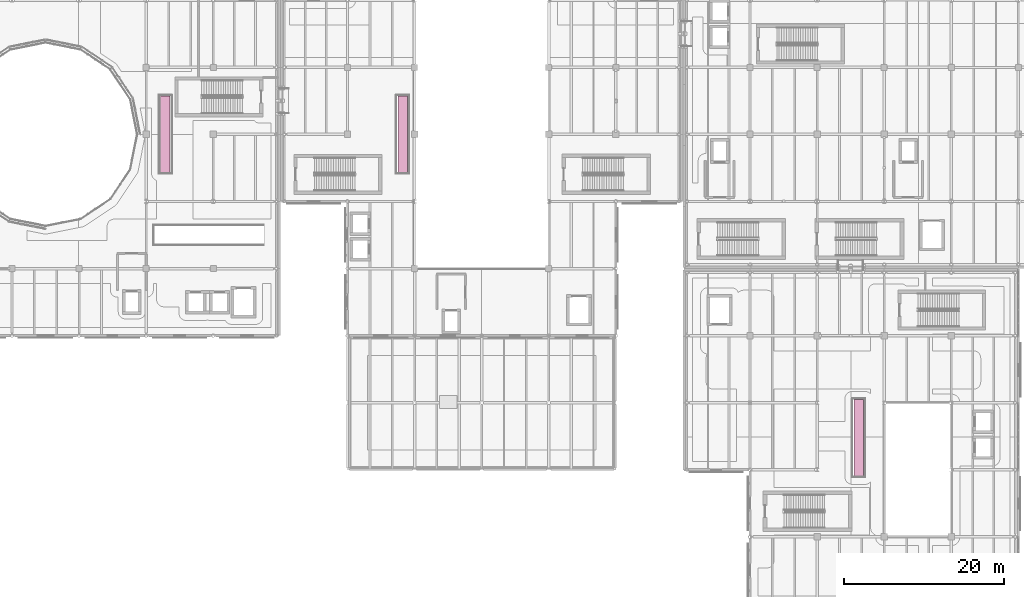
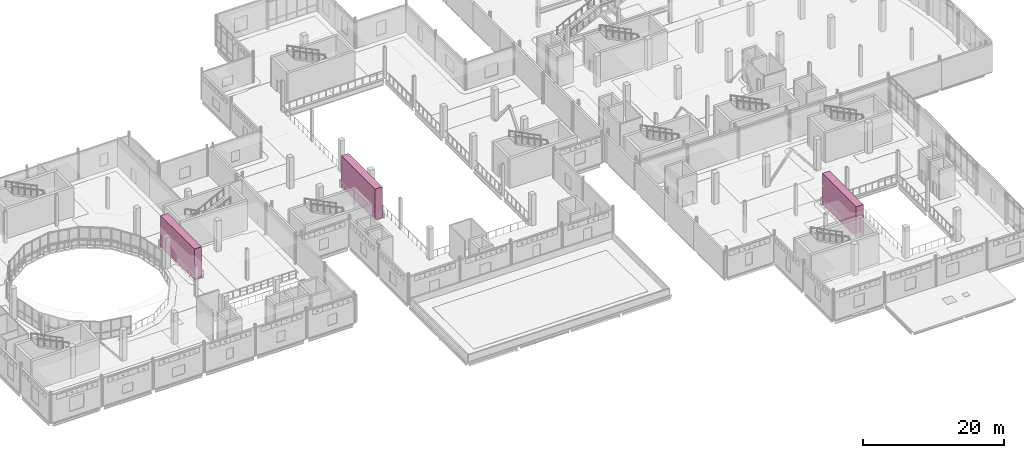
# One storey, part 110 of 110: 3 transport elements.
"""IFC4 building model written with IfcOpenShell, lengths in metres."""

from ifc_helpers import new_model, si_unit, direction, frame, origin, origin_2d, place, context, subcontext, project, spatial, rectangle, extrude, material, type_object, element, save


model = new_model("IFC4")

# Units and contexts
model_context = context("Model", 3, precision=1e-05, world=origin(), true_north=direction((0.0, 1.0)))
body_context = subcontext(model_context, "Body", "Model", "MODEL_VIEW")
ifc_project = project(units=[si_unit("LENGTHUNIT", "METRE"), si_unit("AREAUNIT", "SQUARE_METRE"), si_unit("VOLUMEUNIT", "CUBIC_METRE"), si_unit("PLANEANGLEUNIT", "RADIAN"), si_unit("MASSUNIT", "GRAM", prefix="KILO"), si_unit("THERMODYNAMICTEMPERATUREUNIT", "KELVIN")], contexts=[model_context])

# Site, building, storey
site_placement = place(None, origin())
site = spatial("IfcSite", under=ifc_project, at=site_placement, CompositionType="ELEMENT")
building_placement = place(site_placement, origin())
building = spatial("IfcBuilding", under=site, at=building_placement, Name="Lustrewick Department Store", CompositionType="ELEMENT")
storey_placement = place(building_placement, frame((0.0, 0.0, 6.0)))
storey = spatial("IfcBuildingStorey", under=building, at=storey_placement, Name="L02", CompositionType="ELEMENT", Elevation=6.0)

# Transport elements
ifc_material = material(Name="Brushed stainless steel and safety glass escalator", Category="steel")
transport_element_type = type_object("IfcTransportElementType", Name="ESC-30", PredefinedType="ESCALATOR", material=ifc_material)
for number, where, z_axis, x_axis, name in (
    (1, (44.39990234375, 67.199951171875, 0.0), (0.0, 0.0, 1.0), (1.0, 0.0, 0.0), "L02 Reversible Escalator ESC-02"),
    (2, (74.10009765625, 67.199951171875, 0.0), (0.0, 0.0, 1.0), (1.0, 0.0, 0.0), "L02 Reversible Escalator ESC-08"),
    (3, (131.199951171875, 29.199951171875, 0.0), (0.0, 0.0, 1.0), (1.0, 0.0, 0.0), "L02 Reversible Escalator ESC-12"),
):
    element("IfcTransportElement", number, at=place(storey_placement, frame(where, z_axis=z_axis, x_axis=x_axis)), inside=storey, type_object=transport_element_type, Name=name, PredefinedType="ESCALATOR", context=body_context, shape_type="SweptSolid", body=[
        extrude(rectangle(XDim=1.199951171875, YDim=9.60009765625, at=origin_2d()), origin(), (0.0, 0.0, 1.0), 5.39990234375),
    ])

save(model, "model.ifc")
